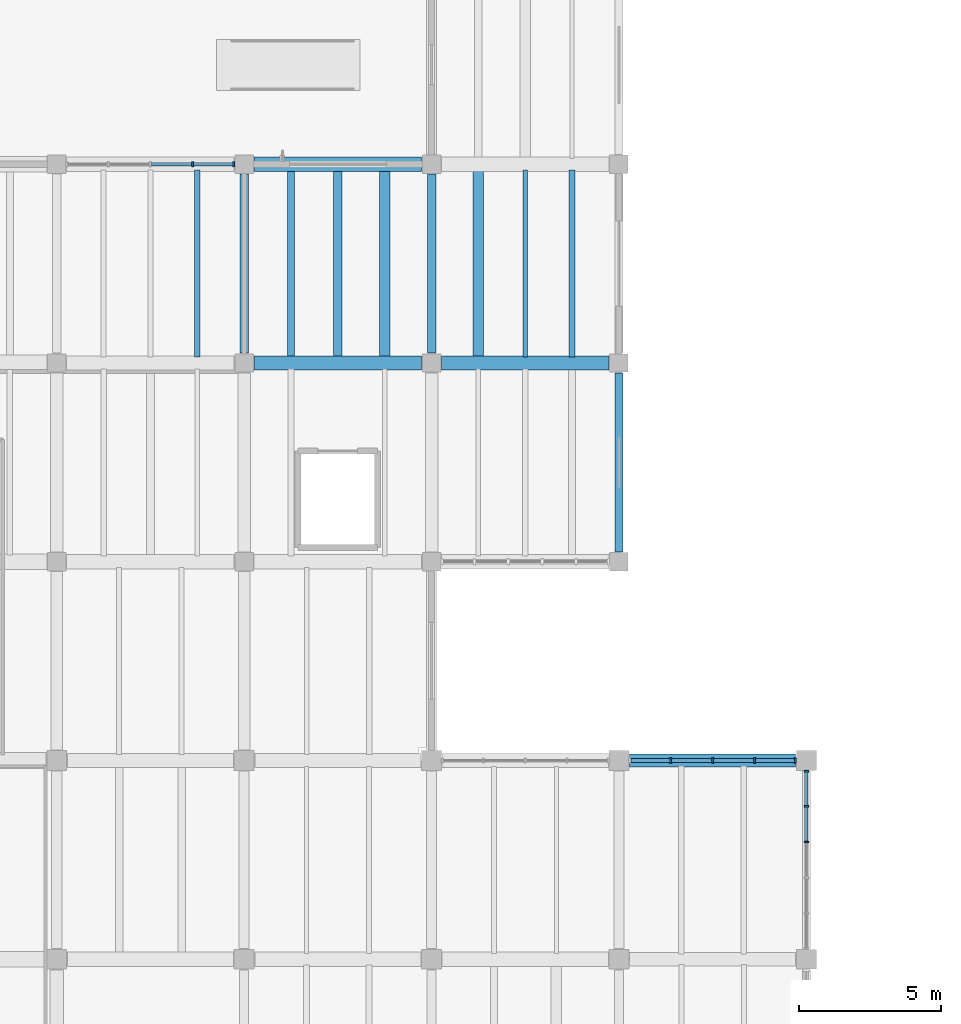
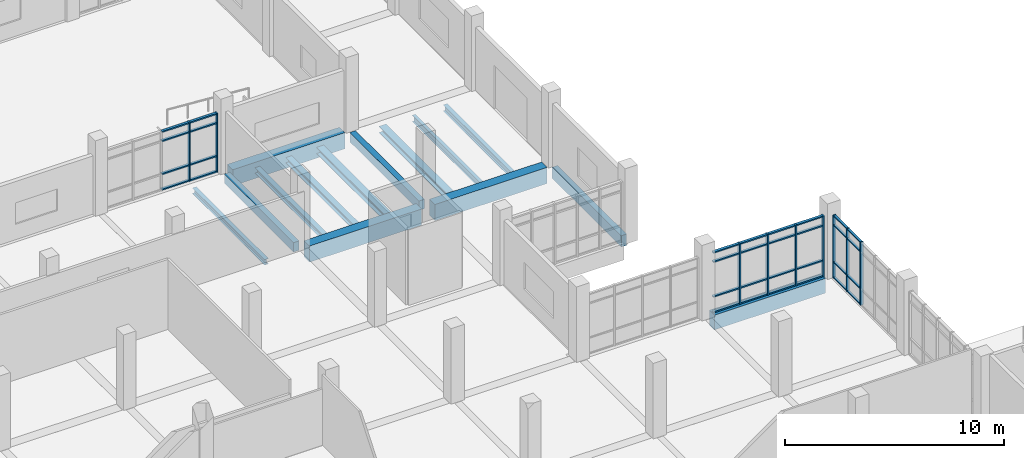
# One storey, part 19 of 69: 41 members, 14 beams, 3 elements without a shape of their own.
"""IFC4 building model written with IfcOpenShell, lengths in metres."""

from ifc_helpers import new_model, si_unit, direction, frame, origin, origin_2d, place, context, subcontext, project, spatial, rectangle, i_section, extrude, material, material_profile, profile_set, type_object, element, aggregate, save


model = new_model("IFC4")

# Units and contexts
model_context = context("Model", 3, precision=1e-05, world=origin(), true_north=direction((0.0, 1.0)))
body_context = subcontext(model_context, "Body", "Model", "MODEL_VIEW")
ifc_project = project(units=[si_unit("LENGTHUNIT", "METRE"), si_unit("AREAUNIT", "SQUARE_METRE"), si_unit("VOLUMEUNIT", "CUBIC_METRE"), si_unit("PLANEANGLEUNIT", "RADIAN"), si_unit("MASSUNIT", "GRAM", prefix="KILO")], contexts=[model_context])

# Site, building, storey
site_placement = place(None, origin())
site = spatial("IfcSite", under=ifc_project, at=site_placement, CompositionType="ELEMENT")
building_placement = place(site_placement, origin())
building = spatial("IfcBuilding", under=site, at=building_placement, Name="Ciguamira Faculty of Natural Sciences", CompositionType="ELEMENT")
storey_placement = place(building_placement, origin())
storey = spatial("IfcBuildingStorey", under=building, at=storey_placement, Name="L00", CompositionType="ELEMENT", Elevation=0.0)

# Curtain wall, members
ifc_material_1 = material(Name="Anodized aluminium curtain wall", Category="aluminium")
curtain_wall_type_1 = type_object("IfcCurtainWallType", Name="CurtainWall_CW-01", PredefinedType="USERDEFINED", material=ifc_material_1)
curtain_wall_1_placement = place(storey_placement, origin())
curtain_wall_1 = element("IfcCurtainWall", 1, at=curtain_wall_1_placement, inside=storey, type_object=curtain_wall_type_1, Name="L00 unitised curtain wall 0025", ObjectType="UNITISED CURTAIN WALL", PredefinedType="USERDEFINED")
ifc_material_2 = material(Name="Anodized aluminium mullion", Category="aluminium")
ifc_material_profile_1 = material_profile(ifc_material_2, rectangle(XDim=0.06005859375, YDim=0.159912109375, at=origin_2d()), Name="ALU-MUL-60X160")
ifc_profile_set_1 = profile_set([ifc_material_profile_1], Name="Anodized aluminium mullion")
member_type_1 = type_object("IfcMemberType", Name="CWMullion_CWM-01", PredefinedType="MULLION", material=ifc_profile_set_1)
member_1_placement = place(storey_placement, frame((123.300048828125, 35.1298828125, 0.0), z_axis=(0.0, 0.0, 1.0), x_axis=(0.0, 1.0, 0.0)))
member_1 = element("IfcMember", 2, at=member_1_placement, type_object=member_type_1, Name="CW-01 mullion 4", PredefinedType="MULLION", context=body_context, shape_type="SweptSolid", body=[
    extrude(rectangle(XDim=0.06005859375, YDim=0.159912109375, at=origin_2d()), origin(), (0.0, 0.0, 1.0), 3.5048828125),
])
member_2_placement = place(storey_placement, frame((123.300048828125, 36.389892578125, 0.0), z_axis=(0.0, 0.0, 1.0), x_axis=(0.0, 1.0, 0.0)))
member_2 = element("IfcMember", 3, at=member_2_placement, type_object=member_type_1, Name="CW-01 mullion 5", PredefinedType="MULLION", context=body_context, shape_type="SweptSolid", body=[
    extrude(rectangle(XDim=0.06005859375, YDim=0.159912109375, at=origin_2d()), origin(), (0.0, 0.0, 1.0), 3.5048828125),
])
member_3_placement = place(storey_placement, frame((123.300048828125, 37.6201171875, 0.0), z_axis=(0.0, 0.0, 1.0), x_axis=(0.0, 1.0, 0.0)))
member_3 = element("IfcMember", 4, at=member_3_placement, type_object=member_type_1, Name="CW-01 mullion 6", PredefinedType="MULLION", context=body_context, shape_type="SweptSolid", body=[
    extrude(rectangle(XDim=0.06005859375, YDim=0.159912109375, at=origin_2d()), origin(), (0.0, 0.0, 1.0), 3.5048828125),
])

curtain_wall_type_2 = type_object("IfcCurtainWallType", Name="CurtainWall_CW-08", PredefinedType="USERDEFINED", material=ifc_material_1)
curtain_wall_2_placement = place(storey_placement, origin())
curtain_wall_2 = element("IfcCurtainWall", 5, at=curtain_wall_2_placement, inside=storey, type_object=curtain_wall_type_2, Name="L00 unitised curtain wall 0008", ObjectType="UNITISED CURTAIN WALL", PredefinedType="USERDEFINED")
ifc_material_profile_2 = material_profile(ifc_material_2, rectangle(XDim=0.070068359375, YDim=0.179931640625, at=origin_2d()), Name="ALU-MUL-70X180")
ifc_profile_set_2 = profile_set([ifc_material_profile_2], Name="Anodized aluminium mullion")
member_type_2 = type_object("IfcMemberType", Name="CWMullion_CWM-02", PredefinedType="MULLION", material=ifc_profile_set_2)
member_4_placement = place(storey_placement, frame((118.52490234375, 38.0, 0.0), z_axis=(0.0, 0.0, 1.0), x_axis=(1.0, 0.0, 0.0)))
member_4 = element("IfcMember", 6, at=member_4_placement, type_object=member_type_2, Name="CW-08 mullion 2", PredefinedType="MULLION", context=body_context, shape_type="SweptSolid", body=[
    extrude(rectangle(XDim=0.070068359375, YDim=0.179931640625, at=origin_2d()), origin(), (0.0, 0.0, 1.0), 3.385009765625),
])
member_5_placement = place(storey_placement, frame((120.0, 38.0, 0.0), z_axis=(0.0, 0.0, 1.0), x_axis=(1.0, 0.0, 0.0)))
member_5 = element("IfcMember", 7, at=member_5_placement, type_object=member_type_2, Name="CW-08 mullion 3", PredefinedType="MULLION", context=body_context, shape_type="SweptSolid", body=[
    extrude(rectangle(XDim=0.070068359375, YDim=0.179931640625, at=origin_2d()), origin(), (0.0, 0.0, 1.0), 3.385009765625),
])
member_6_placement = place(storey_placement, frame((121.47509765625, 38.0, 0.0), z_axis=(0.0, 0.0, 1.0), x_axis=(1.0, 0.0, 0.0)))
member_6 = element("IfcMember", 8, at=member_6_placement, type_object=member_type_2, Name="CW-08 mullion 4", PredefinedType="MULLION", context=body_context, shape_type="SweptSolid", body=[
    extrude(rectangle(XDim=0.070068359375, YDim=0.179931640625, at=origin_2d()), origin(), (0.0, 0.0, 1.0), 3.385009765625),
])
member_7_placement = place(storey_placement, frame((122.9150390625, 38.0, 0.0), z_axis=(0.0, 0.0, 1.0), x_axis=(1.0, 0.0, 0.0)))
member_7 = element("IfcMember", 9, at=member_7_placement, type_object=member_type_2, Name="CW-08 mullion 5", PredefinedType="MULLION", context=body_context, shape_type="SweptSolid", body=[
    extrude(rectangle(XDim=0.070068359375, YDim=0.179931640625, at=origin_2d()), origin(), (0.0, 0.0, 1.0), 3.385009765625),
])

curtain_wall_type_3 = type_object("IfcCurtainWallType", Name="CurtainWall_CW-11", PredefinedType="USERDEFINED", material=ifc_material_1)
curtain_wall_3_placement = place(storey_placement, origin())
curtain_wall_3 = element("IfcCurtainWall", 10, at=curtain_wall_3_placement, inside=storey, type_object=curtain_wall_type_3, Name="L00 unitised curtain wall 0011", ObjectType="UNITISED CURTAIN WALL", PredefinedType="USERDEFINED")
member_8_placement = place(storey_placement, frame((101.6875, 59.0, 0.0), z_axis=(0.0, 0.0, 1.0), x_axis=(1.0, 0.0, 0.0)))
member_8 = element("IfcMember", 11, at=member_8_placement, type_object=member_type_2, Name="CW-11 mullion 4", PredefinedType="MULLION", context=body_context, shape_type="SweptSolid", body=[
    extrude(rectangle(XDim=0.070068359375, YDim=0.179931640625, at=origin_2d()), origin(), (0.0, 0.0, 1.0), 3.284912109375),
])
member_9_placement = place(storey_placement, frame((103.139892578125, 59.0, 0.0), z_axis=(0.0, 0.0, 1.0), x_axis=(1.0, 0.0, 0.0)))
member_9 = element("IfcMember", 12, at=member_9_placement, type_object=member_type_2, Name="CW-11 mullion 5", PredefinedType="MULLION", context=body_context, shape_type="SweptSolid", body=[
    extrude(rectangle(XDim=0.070068359375, YDim=0.179931640625, at=origin_2d()), origin(), (0.0, 0.0, 1.0), 3.284912109375),
])

# Member
ifc_material_3 = material(Name="Anodized aluminium transom", Category="aluminium")
ifc_material_profile_3 = material_profile(ifc_material_3, rectangle(XDim=0.06005859375, YDim=0.1201171875, at=origin_2d()), Name="ALU-TRN-60X120")
ifc_profile_set_3 = profile_set([ifc_material_profile_3], Name="Anodized aluminium transom")
member_type_3 = type_object("IfcMemberType", Name="CWTransom_CWT-01", PredefinedType="USERDEFINED", material=ifc_profile_set_3)
member_10_placement = place(storey_placement, frame((123.300048828125, 35.159912109375, 0.030029296875), z_axis=(0.0, 1.0, 0.0), x_axis=(0.0, 0.0, 1.0)))
member_10 = element("IfcMember", 13, at=member_10_placement, type_object=member_type_3, Name="CW-01 transom 4.1", ObjectType="TRANSOM", PredefinedType="USERDEFINED", context=body_context, shape_type="SweptSolid", body=[
    extrude(rectangle(XDim=0.06005859375, YDim=0.1201171875, at=origin_2d()), origin(), (0.0, 0.0, 1.0), 1.2001953125),
])

member_11_placement = place(storey_placement, frame((123.300048828125, 35.159912109375, 0.89990234375), z_axis=(0.0, 1.0, 0.0), x_axis=(0.0, 0.0, 1.0)))
member_11 = element("IfcMember", 14, at=member_11_placement, type_object=member_type_3, Name="CW-01 transom 4.2", ObjectType="TRANSOM", PredefinedType="USERDEFINED", context=body_context, shape_type="SweptSolid", body=[
    extrude(rectangle(XDim=0.06005859375, YDim=0.1201171875, at=origin_2d()), origin(), (0.0, 0.0, 1.0), 1.2001953125),
])

member_12_placement = place(storey_placement, frame((123.300048828125, 35.159912109375, 2.955078125), z_axis=(0.0, 1.0, 0.0), x_axis=(0.0, 0.0, 1.0)))
member_12 = element("IfcMember", 15, at=member_12_placement, type_object=member_type_3, Name="CW-01 transom 4.3", ObjectType="TRANSOM", PredefinedType="USERDEFINED", context=body_context, shape_type="SweptSolid", body=[
    extrude(rectangle(XDim=0.06005859375, YDim=0.1201171875, at=origin_2d()), origin(), (0.0, 0.0, 1.0), 1.2001953125),
])

member_13_placement = place(storey_placement, frame((123.300048828125, 35.159912109375, 3.47509765625), z_axis=(0.0, 1.0, 0.0), x_axis=(0.0, 0.0, 1.0)))
member_13 = element("IfcMember", 16, at=member_13_placement, type_object=member_type_3, Name="CW-01 transom 4.4", ObjectType="TRANSOM", PredefinedType="USERDEFINED", context=body_context, shape_type="SweptSolid", body=[
    extrude(rectangle(XDim=0.06005859375, YDim=0.1201171875, at=origin_2d()), origin(), (0.0, 0.0, 1.0), 1.2001953125),
])

member_14_placement = place(storey_placement, frame((123.300048828125, 36.419921875, 0.030029296875), z_axis=(0.0, 1.0, 0.0), x_axis=(0.0, 0.0, 1.0)))
member_14 = element("IfcMember", 17, at=member_14_placement, type_object=member_type_3, Name="CW-01 transom 5.1", ObjectType="TRANSOM", PredefinedType="USERDEFINED", context=body_context, shape_type="SweptSolid", body=[
    extrude(rectangle(XDim=0.06005859375, YDim=0.1201171875, at=origin_2d()), origin(), (0.0, 0.0, 1.0), 1.170166015625),
])

member_15_placement = place(storey_placement, frame((123.300048828125, 36.419921875, 0.89990234375), z_axis=(0.0, 1.0, 0.0), x_axis=(0.0, 0.0, 1.0)))
member_15 = element("IfcMember", 18, at=member_15_placement, type_object=member_type_3, Name="CW-01 transom 5.2", ObjectType="TRANSOM", PredefinedType="USERDEFINED", context=body_context, shape_type="SweptSolid", body=[
    extrude(rectangle(XDim=0.06005859375, YDim=0.1201171875, at=origin_2d()), origin(), (0.0, 0.0, 1.0), 1.170166015625),
])

member_16_placement = place(storey_placement, frame((123.300048828125, 36.419921875, 2.955078125), z_axis=(0.0, 1.0, 0.0), x_axis=(0.0, 0.0, 1.0)))
member_16 = element("IfcMember", 19, at=member_16_placement, type_object=member_type_3, Name="CW-01 transom 5.3", ObjectType="TRANSOM", PredefinedType="USERDEFINED", context=body_context, shape_type="SweptSolid", body=[
    extrude(rectangle(XDim=0.06005859375, YDim=0.1201171875, at=origin_2d()), origin(), (0.0, 0.0, 1.0), 1.170166015625),
])

member_17_placement = place(storey_placement, frame((123.300048828125, 36.419921875, 3.47509765625), z_axis=(0.0, 1.0, 0.0), x_axis=(0.0, 0.0, 1.0)))
member_17 = element("IfcMember", 20, at=member_17_placement, type_object=member_type_3, Name="CW-01 transom 5.4", ObjectType="TRANSOM", PredefinedType="USERDEFINED", context=body_context, shape_type="SweptSolid", body=[
    extrude(rectangle(XDim=0.06005859375, YDim=0.1201171875, at=origin_2d()), origin(), (0.0, 0.0, 1.0), 1.170166015625),
])

aggregate(curtain_wall_1, [member_1, member_2, member_3, member_10, member_11, member_12, member_13, member_14, member_15, member_16, member_17])

ifc_material_profile_4 = material_profile(ifc_material_3, rectangle(XDim=0.070068359375, YDim=0.139892578125, at=origin_2d()), Name="ALU-TRN-70X140")
ifc_profile_set_4 = profile_set([ifc_material_profile_4], Name="Anodized aluminium transom")
member_type_4 = type_object("IfcMemberType", Name="CWTransom_CWT-02", PredefinedType="USERDEFINED", material=ifc_profile_set_4)
member_18_placement = place(storey_placement, frame((117.1201171875, 38.0, 0.034912109375), z_axis=(1.0, 0.0, 0.0), x_axis=(0.0, 0.0, 1.0)))
member_18 = element("IfcMember", 21, at=member_18_placement, type_object=member_type_4, Name="CW-08 transom 1.1", ObjectType="TRANSOM", PredefinedType="USERDEFINED", context=body_context, shape_type="SweptSolid", body=[
    extrude(rectangle(XDim=0.070068359375, YDim=0.139892578125, at=origin_2d()), origin(), (0.0, 0.0, 1.0), 1.369873046875),
])

member_19_placement = place(storey_placement, frame((117.1201171875, 38.0, 0.89990234375), z_axis=(1.0, 0.0, 0.0), x_axis=(0.0, 0.0, 1.0)))
member_19 = element("IfcMember", 22, at=member_19_placement, type_object=member_type_4, Name="CW-08 transom 1.2", ObjectType="TRANSOM", PredefinedType="USERDEFINED", context=body_context, shape_type="SweptSolid", body=[
    extrude(rectangle(XDim=0.070068359375, YDim=0.139892578125, at=origin_2d()), origin(), (0.0, 0.0, 1.0), 1.369873046875),
])

member_20_placement = place(storey_placement, frame((117.1201171875, 38.0, 2.8349609375), z_axis=(1.0, 0.0, 0.0), x_axis=(0.0, 0.0, 1.0)))
member_20 = element("IfcMember", 23, at=member_20_placement, type_object=member_type_4, Name="CW-08 transom 1.3", ObjectType="TRANSOM", PredefinedType="USERDEFINED", context=body_context, shape_type="SweptSolid", body=[
    extrude(rectangle(XDim=0.070068359375, YDim=0.139892578125, at=origin_2d()), origin(), (0.0, 0.0, 1.0), 1.369873046875),
])

member_21_placement = place(storey_placement, frame((117.1201171875, 38.0, 3.35009765625), z_axis=(1.0, 0.0, 0.0), x_axis=(0.0, 0.0, 1.0)))
member_21 = element("IfcMember", 24, at=member_21_placement, type_object=member_type_4, Name="CW-08 transom 1.4", ObjectType="TRANSOM", PredefinedType="USERDEFINED", context=body_context, shape_type="SweptSolid", body=[
    extrude(rectangle(XDim=0.070068359375, YDim=0.139892578125, at=origin_2d()), origin(), (0.0, 0.0, 1.0), 1.369873046875),
])

member_22_placement = place(storey_placement, frame((118.56005859375, 38.0, 0.034912109375), z_axis=(1.0, 0.0, 0.0), x_axis=(0.0, 0.0, 1.0)))
member_22 = element("IfcMember", 25, at=member_22_placement, type_object=member_type_4, Name="CW-08 transom 2.1", ObjectType="TRANSOM", PredefinedType="USERDEFINED", context=body_context, shape_type="SweptSolid", body=[
    extrude(rectangle(XDim=0.070068359375, YDim=0.139892578125, at=origin_2d()), origin(), (0.0, 0.0, 1.0), 1.405029296875),
])

member_23_placement = place(storey_placement, frame((118.56005859375, 38.0, 0.89990234375), z_axis=(1.0, 0.0, 0.0), x_axis=(0.0, 0.0, 1.0)))
member_23 = element("IfcMember", 26, at=member_23_placement, type_object=member_type_4, Name="CW-08 transom 2.2", ObjectType="TRANSOM", PredefinedType="USERDEFINED", context=body_context, shape_type="SweptSolid", body=[
    extrude(rectangle(XDim=0.070068359375, YDim=0.139892578125, at=origin_2d()), origin(), (0.0, 0.0, 1.0), 1.405029296875),
])

member_24_placement = place(storey_placement, frame((118.56005859375, 38.0, 2.8349609375), z_axis=(1.0, 0.0, 0.0), x_axis=(0.0, 0.0, 1.0)))
member_24 = element("IfcMember", 27, at=member_24_placement, type_object=member_type_4, Name="CW-08 transom 2.3", ObjectType="TRANSOM", PredefinedType="USERDEFINED", context=body_context, shape_type="SweptSolid", body=[
    extrude(rectangle(XDim=0.070068359375, YDim=0.139892578125, at=origin_2d()), origin(), (0.0, 0.0, 1.0), 1.405029296875),
])

member_25_placement = place(storey_placement, frame((118.56005859375, 38.0, 3.35009765625), z_axis=(1.0, 0.0, 0.0), x_axis=(0.0, 0.0, 1.0)))
member_25 = element("IfcMember", 28, at=member_25_placement, type_object=member_type_4, Name="CW-08 transom 2.4", ObjectType="TRANSOM", PredefinedType="USERDEFINED", context=body_context, shape_type="SweptSolid", body=[
    extrude(rectangle(XDim=0.070068359375, YDim=0.139892578125, at=origin_2d()), origin(), (0.0, 0.0, 1.0), 1.405029296875),
])

member_26_placement = place(storey_placement, frame((120.034912109375, 38.0, 0.034912109375), z_axis=(1.0, 0.0, 0.0), x_axis=(0.0, 0.0, 1.0)))
member_26 = element("IfcMember", 29, at=member_26_placement, type_object=member_type_4, Name="CW-08 transom 3.1", ObjectType="TRANSOM", PredefinedType="USERDEFINED", context=body_context, shape_type="SweptSolid", body=[
    extrude(rectangle(XDim=0.070068359375, YDim=0.139892578125, at=origin_2d()), origin(), (0.0, 0.0, 1.0), 1.405029296875),
])

member_27_placement = place(storey_placement, frame((120.034912109375, 38.0, 0.89990234375), z_axis=(1.0, 0.0, 0.0), x_axis=(0.0, 0.0, 1.0)))
member_27 = element("IfcMember", 30, at=member_27_placement, type_object=member_type_4, Name="CW-08 transom 3.2", ObjectType="TRANSOM", PredefinedType="USERDEFINED", context=body_context, shape_type="SweptSolid", body=[
    extrude(rectangle(XDim=0.070068359375, YDim=0.139892578125, at=origin_2d()), origin(), (0.0, 0.0, 1.0), 1.405029296875),
])

member_28_placement = place(storey_placement, frame((120.034912109375, 38.0, 2.8349609375), z_axis=(1.0, 0.0, 0.0), x_axis=(0.0, 0.0, 1.0)))
member_28 = element("IfcMember", 31, at=member_28_placement, type_object=member_type_4, Name="CW-08 transom 3.3", ObjectType="TRANSOM", PredefinedType="USERDEFINED", context=body_context, shape_type="SweptSolid", body=[
    extrude(rectangle(XDim=0.070068359375, YDim=0.139892578125, at=origin_2d()), origin(), (0.0, 0.0, 1.0), 1.405029296875),
])

member_29_placement = place(storey_placement, frame((120.034912109375, 38.0, 3.35009765625), z_axis=(1.0, 0.0, 0.0), x_axis=(0.0, 0.0, 1.0)))
member_29 = element("IfcMember", 32, at=member_29_placement, type_object=member_type_4, Name="CW-08 transom 3.4", ObjectType="TRANSOM", PredefinedType="USERDEFINED", context=body_context, shape_type="SweptSolid", body=[
    extrude(rectangle(XDim=0.070068359375, YDim=0.139892578125, at=origin_2d()), origin(), (0.0, 0.0, 1.0), 1.405029296875),
])

member_30_placement = place(storey_placement, frame((121.510009765625, 38.0, 0.034912109375), z_axis=(1.0, 0.0, 0.0), x_axis=(0.0, 0.0, 1.0)))
member_30 = element("IfcMember", 33, at=member_30_placement, type_object=member_type_4, Name="CW-08 transom 4.1", ObjectType="TRANSOM", PredefinedType="USERDEFINED", context=body_context, shape_type="SweptSolid", body=[
    extrude(rectangle(XDim=0.070068359375, YDim=0.139892578125, at=origin_2d()), origin(), (0.0, 0.0, 1.0), 1.369873046875),
])

member_31_placement = place(storey_placement, frame((121.510009765625, 38.0, 0.89990234375), z_axis=(1.0, 0.0, 0.0), x_axis=(0.0, 0.0, 1.0)))
member_31 = element("IfcMember", 34, at=member_31_placement, type_object=member_type_4, Name="CW-08 transom 4.2", ObjectType="TRANSOM", PredefinedType="USERDEFINED", context=body_context, shape_type="SweptSolid", body=[
    extrude(rectangle(XDim=0.070068359375, YDim=0.139892578125, at=origin_2d()), origin(), (0.0, 0.0, 1.0), 1.369873046875),
])

member_32_placement = place(storey_placement, frame((121.510009765625, 38.0, 2.8349609375), z_axis=(1.0, 0.0, 0.0), x_axis=(0.0, 0.0, 1.0)))
member_32 = element("IfcMember", 35, at=member_32_placement, type_object=member_type_4, Name="CW-08 transom 4.3", ObjectType="TRANSOM", PredefinedType="USERDEFINED", context=body_context, shape_type="SweptSolid", body=[
    extrude(rectangle(XDim=0.070068359375, YDim=0.139892578125, at=origin_2d()), origin(), (0.0, 0.0, 1.0), 1.369873046875),
])

member_33_placement = place(storey_placement, frame((121.510009765625, 38.0, 3.35009765625), z_axis=(1.0, 0.0, 0.0), x_axis=(0.0, 0.0, 1.0)))
member_33 = element("IfcMember", 36, at=member_33_placement, type_object=member_type_4, Name="CW-08 transom 4.4", ObjectType="TRANSOM", PredefinedType="USERDEFINED", context=body_context, shape_type="SweptSolid", body=[
    extrude(rectangle(XDim=0.070068359375, YDim=0.139892578125, at=origin_2d()), origin(), (0.0, 0.0, 1.0), 1.369873046875),
])

aggregate(curtain_wall_2, [member_4, member_5, member_6, member_7, member_18, member_19, member_20, member_21, member_22, member_23, member_24, member_25, member_26, member_27, member_28, member_29, member_30, member_31, member_32, member_33])

member_34_placement = place(storey_placement, frame((100.235107421875, 59.0, 0.034912109375), z_axis=(1.0, 0.0, 0.0), x_axis=(0.0, 0.0, 1.0)))
member_34 = element("IfcMember", 37, at=member_34_placement, type_object=member_type_4, Name="CW-11 transom 3.1", ObjectType="TRANSOM", PredefinedType="USERDEFINED", context=body_context, shape_type="SweptSolid", body=[
    extrude(rectangle(XDim=0.070068359375, YDim=0.139892578125, at=origin_2d()), origin(), (0.0, 0.0, 1.0), 1.41748046875),
])

member_35_placement = place(storey_placement, frame((100.235107421875, 59.0, 0.89990234375), z_axis=(1.0, 0.0, 0.0), x_axis=(0.0, 0.0, 1.0)))
member_35 = element("IfcMember", 38, at=member_35_placement, type_object=member_type_4, Name="CW-11 transom 3.2", ObjectType="TRANSOM", PredefinedType="USERDEFINED", context=body_context, shape_type="SweptSolid", body=[
    extrude(rectangle(XDim=0.070068359375, YDim=0.139892578125, at=origin_2d()), origin(), (0.0, 0.0, 1.0), 1.41748046875),
])

member_36_placement = place(storey_placement, frame((100.235107421875, 59.0, 2.735107421875), z_axis=(1.0, 0.0, 0.0), x_axis=(0.0, 0.0, 1.0)))
member_36 = element("IfcMember", 39, at=member_36_placement, type_object=member_type_4, Name="CW-11 transom 3.3", ObjectType="TRANSOM", PredefinedType="USERDEFINED", context=body_context, shape_type="SweptSolid", body=[
    extrude(rectangle(XDim=0.070068359375, YDim=0.139892578125, at=origin_2d()), origin(), (0.0, 0.0, 1.0), 1.41748046875),
])

member_37_placement = place(storey_placement, frame((100.235107421875, 59.0, 3.25), z_axis=(1.0, 0.0, 0.0), x_axis=(0.0, 0.0, 1.0)))
member_37 = element("IfcMember", 40, at=member_37_placement, type_object=member_type_4, Name="CW-11 transom 3.4", ObjectType="TRANSOM", PredefinedType="USERDEFINED", context=body_context, shape_type="SweptSolid", body=[
    extrude(rectangle(XDim=0.070068359375, YDim=0.139892578125, at=origin_2d()), origin(), (0.0, 0.0, 1.0), 1.41748046875),
])

member_38_placement = place(storey_placement, frame((101.722412109375, 59.0, 0.034912109375), z_axis=(1.0, 0.0, 0.0), x_axis=(0.0, 0.0, 1.0)))
member_38 = element("IfcMember", 41, at=member_38_placement, type_object=member_type_4, Name="CW-11 transom 4.1", ObjectType="TRANSOM", PredefinedType="USERDEFINED", context=body_context, shape_type="SweptSolid", body=[
    extrude(rectangle(XDim=0.070068359375, YDim=0.139892578125, at=origin_2d()), origin(), (0.0, 0.0, 1.0), 1.382568359375),
])

member_39_placement = place(storey_placement, frame((101.722412109375, 59.0, 0.89990234375), z_axis=(1.0, 0.0, 0.0), x_axis=(0.0, 0.0, 1.0)))
member_39 = element("IfcMember", 42, at=member_39_placement, type_object=member_type_4, Name="CW-11 transom 4.2", ObjectType="TRANSOM", PredefinedType="USERDEFINED", context=body_context, shape_type="SweptSolid", body=[
    extrude(rectangle(XDim=0.070068359375, YDim=0.139892578125, at=origin_2d()), origin(), (0.0, 0.0, 1.0), 1.382568359375),
])

member_40_placement = place(storey_placement, frame((101.722412109375, 59.0, 2.735107421875), z_axis=(1.0, 0.0, 0.0), x_axis=(0.0, 0.0, 1.0)))
member_40 = element("IfcMember", 43, at=member_40_placement, type_object=member_type_4, Name="CW-11 transom 4.3", ObjectType="TRANSOM", PredefinedType="USERDEFINED", context=body_context, shape_type="SweptSolid", body=[
    extrude(rectangle(XDim=0.070068359375, YDim=0.139892578125, at=origin_2d()), origin(), (0.0, 0.0, 1.0), 1.382568359375),
])

member_41_placement = place(storey_placement, frame((101.722412109375, 59.0, 3.25), z_axis=(1.0, 0.0, 0.0), x_axis=(0.0, 0.0, 1.0)))
member_41 = element("IfcMember", 44, at=member_41_placement, type_object=member_type_4, Name="CW-11 transom 4.4", ObjectType="TRANSOM", PredefinedType="USERDEFINED", context=body_context, shape_type="SweptSolid", body=[
    extrude(rectangle(XDim=0.070068359375, YDim=0.139892578125, at=origin_2d()), origin(), (0.0, 0.0, 1.0), 1.382568359375),
])

aggregate(curtain_wall_3, [member_8, member_9, member_34, member_35, member_36, member_37, member_38, member_39, member_40, member_41])

# Beams
ifc_material_4 = material(Name="Concrete C40/50", Category="concrete")
ifc_material_profile_5 = material_profile(ifc_material_4, rectangle(XDim=0.5, YDim=0.89990234375, at=origin_2d()), Name="RC-BM-500X900")
ifc_profile_set_5 = profile_set([ifc_material_profile_5], Name="Concrete C40/50")
beam_type_1 = type_object("IfcBeamType", Name="RCBeam_BG-03_RC-BM-500X900", PredefinedType="BEAM", material=ifc_profile_set_5)
beam_1_placement = place(storey_placement, frame((103.85009765625, 52.0, -0.449951171875), z_axis=(1.0, 0.0, 0.0), x_axis=(0.0, 1.0, 0.0)))
element("IfcBeam", 45, at=beam_1_placement, inside=storey, type_object=beam_type_1, Name="L00 RC girder EW-0116", PredefinedType="BEAM", context=body_context, shape_type="SweptSolid", body=[
    extrude(rectangle(XDim=0.5, YDim=0.89990234375, at=origin_2d()), origin(), (0.0, 0.0, 1.0), 5.89990234375),
])
beam_2_placement = place(storey_placement, frame((110.449951171875, 52.0, -0.449951171875), z_axis=(1.0, 0.0, 0.0), x_axis=(0.0, 1.0, 0.0)))
element("IfcBeam", 46, at=beam_2_placement, inside=storey, type_object=beam_type_1, Name="L00 RC girder EW-0117", PredefinedType="BEAM", context=body_context, shape_type="SweptSolid", body=[
    extrude(rectangle(XDim=0.5, YDim=0.89990234375, at=origin_2d()), origin(), (0.0, 0.0, 1.0), 5.900146484375),
])
beam_3_placement = place(storey_placement, frame((103.85009765625, 59.0, -0.449951171875), z_axis=(1.0, 0.0, 0.0), x_axis=(0.0, 1.0, 0.0)))
element("IfcBeam", 47, at=beam_3_placement, inside=storey, type_object=beam_type_1, Name="L00 RC girder EW-0125", PredefinedType="BEAM", context=body_context, shape_type="SweptSolid", body=[
    extrude(rectangle(XDim=0.5, YDim=0.89990234375, at=origin_2d()), origin(), (0.0, 0.0, 1.0), 5.89990234375),
])
ifc_material_profile_6 = material_profile(ifc_material_4, rectangle(XDim=0.4599609375, YDim=0.820068359375, at=origin_2d()), Name="RC-BM-460X820")
ifc_profile_set_6 = profile_set([ifc_material_profile_6], Name="Concrete C40/50")
beam_type_2 = type_object("IfcBeamType", Name="RCBeam_BG-04_RC-BM-460X820", PredefinedType="BEAM", material=ifc_profile_set_6)
beam_4_placement = place(storey_placement, frame((117.074951171875, 38.0, -0.409912109375), z_axis=(1.0, 0.0, 0.0), x_axis=(0.0, 1.0, 0.0)))
element("IfcBeam", 48, at=beam_4_placement, inside=storey, type_object=beam_type_2, Name="L00 RC girder EW-0099", PredefinedType="BEAM", context=body_context, shape_type="SweptSolid", body=[
    extrude(rectangle(XDim=0.4599609375, YDim=0.820068359375, at=origin_2d()), origin(), (0.0, 0.0, 1.0), 5.85009765625),
])
ifc_material_profile_7 = material_profile(ifc_material_4, rectangle(XDim=0.300048828125, YDim=0.52001953125, at=origin_2d()), Name="RC-BM-300X520")
ifc_profile_set_7 = profile_set([ifc_material_profile_7], Name="Concrete C40/50")
beam_type_3 = type_object("IfcBeamType", Name="RCBeam_BG-13_RC-BM-300X520", PredefinedType="BEAM", material=ifc_profile_set_7)
for number, where, z_axis, x_axis, name in (
    (49, (103.5, 52.35009765625, -0.260009765625), (0.0, 1.0, 0.0), (-1.0, 0.0, 0.0), "L00 girder NS-0306"),
    (50, (110.10009765625, 52.35009765625, -0.260009765625), (0.0, 1.0, 0.0), (-1.0, 0.0, 0.0), "L00 girder NS-0317"),
):
    element("IfcBeam", number, at=place(storey_placement, frame(where, z_axis=z_axis, x_axis=x_axis)), inside=storey, type_object=beam_type_3, Name=name, PredefinedType="BEAM", context=body_context, shape_type="SweptSolid", body=[
        extrude(rectangle(XDim=0.300048828125, YDim=0.52001953125, at=origin_2d()), origin(), (0.0, 0.0, 1.0), 6.2998046875),
    ])
ifc_material_5 = material(Name="Precast concrete C40/50", Category="concrete")
ifc_material_profile_8 = material_profile(ifc_material_5, rectangle(XDim=0.280029296875, YDim=0.6201171875, at=origin_2d()), Name="RC-SP-280X620")
ifc_profile_set_8 = profile_set([ifc_material_profile_8], Name="Precast concrete C40/50")
beam_type_4 = type_object("IfcBeamType", Name="RCBeam_SP-01_RC-SP-280X620", PredefinedType="SPANDREL", material=ifc_profile_set_8)
beam_5_placement = place(storey_placement, frame((116.699951171875, 45.35009765625, -0.31005859375), z_axis=(0.0, 1.0, 0.0), x_axis=(-1.0, 0.0, 0.0)))
element("IfcBeam", 51, at=beam_5_placement, inside=storey, type_object=beam_type_4, Name="L00 girder NS-0329", PredefinedType="SPANDREL", context=body_context, shape_type="SweptSolid", body=[
    extrude(rectangle(XDim=0.280029296875, YDim=0.6201171875, at=origin_2d()), origin(), (0.0, 0.0, 1.0), 6.2998046875),
])
ifc_material_6 = material(Name="Steel ASTM A992 Grade 50", Category="steel")
ifc_material_profile_9 = material_profile(ifc_material_6, i_section(OverallWidth=0.20458984375, OverallDepth=0.307373046875, WebThickness=0.008544921875, FlangeThickness=0.0146484375, at=origin_2d()), Name="W12X45")
ifc_profile_set_9 = profile_set([ifc_material_profile_9], Name="Steel ASTM A992 Grade 50")
beam_type_5 = type_object("IfcBeamType", Name="SteelJoist_SJ-06_W12X45", PredefinedType="JOIST", material=ifc_profile_set_9)
beam_6_placement = place(storey_placement, frame((101.85009765625, 52.2099609375, -0.45361328125), z_axis=(0.0, 1.0, 0.0), x_axis=(-1.0, 0.0, 0.0)))
element("IfcBeam", 52, at=beam_6_placement, inside=storey, type_object=beam_type_5, Name="L00 composite steel joist 00234", PredefinedType="JOIST", context=body_context, shape_type="SweptSolid", body=[
    extrude(i_section(OverallWidth=0.20458984375, OverallDepth=0.307373046875, WebThickness=0.008544921875, FlangeThickness=0.0146484375, at=origin_2d()), origin(), (0.0, 0.0, 1.0), 6.580078125),
])
ifc_material_profile_10 = material_profile(ifc_material_6, i_section(OverallWidth=0.25390625, OverallDepth=0.307373046875, WebThickness=0.0087890625, FlangeThickness=0.0146484375, at=origin_2d()), Name="W12X53")
ifc_profile_set_10 = profile_set([ifc_material_profile_10], Name="Steel ASTM A992 Grade 50")
beam_type_6 = type_object("IfcBeamType", Name="SteelJoist_SJ-07_W12X53", PredefinedType="JOIST", material=ifc_profile_set_10)
beam_7_placement = place(storey_placement, frame((105.14990234375, 52.2099609375, -0.45361328125), z_axis=(0.0, 1.0, 0.0), x_axis=(-1.0, 0.0, 0.0)))
element("IfcBeam", 53, at=beam_7_placement, inside=storey, type_object=beam_type_6, Name="L00 composite steel joist 00260", PredefinedType="JOIST", context=body_context, shape_type="SweptSolid", body=[
    extrude(i_section(OverallWidth=0.25390625, OverallDepth=0.307373046875, WebThickness=0.0087890625, FlangeThickness=0.0146484375, at=origin_2d()), origin(), (0.0, 0.0, 1.0), 6.580078125),
])
ifc_material_profile_11 = material_profile(ifc_material_6, i_section(OverallWidth=0.3046875, OverallDepth=0.307373046875, WebThickness=0.010009765625, FlangeThickness=0.015380859375, at=origin_2d()), Name="W12X65")
ifc_profile_set_11 = profile_set([ifc_material_profile_11], Name="Steel ASTM A992 Grade 50")
beam_type_7 = type_object("IfcBeamType", Name="SteelJoist_SJ-08_W12X65", PredefinedType="JOIST", material=ifc_profile_set_11)
beam_8_placement = place(storey_placement, frame((106.800048828125, 52.2099609375, -0.45361328125), z_axis=(0.0, 1.0, 0.0), x_axis=(-1.0, 0.0, 0.0)))
element("IfcBeam", 54, at=beam_8_placement, inside=storey, type_object=beam_type_7, Name="L00 composite steel joist 00261", PredefinedType="JOIST", context=body_context, shape_type="SweptSolid", body=[
    extrude(i_section(OverallWidth=0.3046875, OverallDepth=0.307373046875, WebThickness=0.010009765625, FlangeThickness=0.015380859375, at=origin_2d()), origin(), (0.0, 0.0, 1.0), 6.580078125),
])
ifc_material_profile_12 = material_profile(ifc_material_6, i_section(OverallWidth=0.370849609375, OverallDepth=0.36328125, WebThickness=0.013427734375, FlangeThickness=0.021728515625, at=origin_2d()), Name="W14X109")
ifc_profile_set_12 = profile_set([ifc_material_profile_12], Name="Steel ASTM A992 Grade 50")
beam_type_8 = type_object("IfcBeamType", Name="SteelJoist_SJ-09_W14X109", PredefinedType="JOIST", material=ifc_profile_set_12)
beam_9_placement = place(storey_placement, frame((108.449951171875, 52.2099609375, -0.481689453125), z_axis=(0.0, 1.0, 0.0), x_axis=(-1.0, 0.0, 0.0)))
element("IfcBeam", 55, at=beam_9_placement, inside=storey, type_object=beam_type_8, Name="L00 composite steel joist 00262", PredefinedType="JOIST", context=body_context, shape_type="SweptSolid", body=[
    extrude(i_section(OverallWidth=0.370849609375, OverallDepth=0.36328125, WebThickness=0.013427734375, FlangeThickness=0.021728515625, at=origin_2d()), origin(), (0.0, 0.0, 1.0), 6.580078125),
])
ifc_material_profile_13 = material_profile(ifc_material_6, i_section(OverallWidth=0.373291015625, OverallDepth=0.373291015625, WebThickness=0.016357421875, FlangeThickness=0.026123046875, at=origin_2d()), Name="W14X132")
ifc_profile_set_13 = profile_set([ifc_material_profile_13], Name="Steel ASTM A992 Grade 50")
beam_type_9 = type_object("IfcBeamType", Name="SteelJoist_SJ-10_W14X132", PredefinedType="JOIST", material=ifc_profile_set_13)
beam_10_placement = place(storey_placement, frame((111.75, 52.2099609375, -0.48681640625), z_axis=(0.0, 1.0, 0.0), x_axis=(-1.0, 0.0, 0.0)))
element("IfcBeam", 56, at=beam_10_placement, inside=storey, type_object=beam_type_9, Name="L00 composite steel joist 00284", PredefinedType="JOIST", context=body_context, shape_type="SweptSolid", body=[
    extrude(i_section(OverallWidth=0.373291015625, OverallDepth=0.373291015625, WebThickness=0.016357421875, FlangeThickness=0.026123046875, at=origin_2d()), origin(), (0.0, 0.0, 1.0), 6.580078125),
])
ifc_material_profile_14 = material_profile(ifc_material_6, i_section(OverallWidth=0.1708984375, OverallDepth=0.3505859375, WebThickness=0.0068359375, FlangeThickness=0.009765625, at=origin_2d()), Name="W14X30")
ifc_profile_set_14 = profile_set([ifc_material_profile_14], Name="Steel ASTM A992 Grade 50")
beam_type_10 = type_object("IfcBeamType", Name="SteelJoist_SJ-11_W14X30", PredefinedType="JOIST", material=ifc_profile_set_14)
beam_11_placement = place(storey_placement, frame((113.39990234375, 52.2099609375, -0.475341796875), z_axis=(0.0, 1.0, 0.0), x_axis=(-1.0, 0.0, 0.0)))
element("IfcBeam", 57, at=beam_11_placement, inside=storey, type_object=beam_type_10, Name="L00 composite steel joist 00285", PredefinedType="JOIST", context=body_context, shape_type="SweptSolid", body=[
    extrude(i_section(OverallWidth=0.1708984375, OverallDepth=0.3505859375, WebThickness=0.0068359375, FlangeThickness=0.009765625, at=origin_2d()), origin(), (0.0, 0.0, 1.0), 6.580078125),
])
ifc_material_profile_15 = material_profile(ifc_material_6, i_section(OverallWidth=0.203125, OverallDepth=0.347900390625, WebThickness=0.0078125, FlangeThickness=0.013427734375, at=origin_2d()), Name="W14X43")
ifc_profile_set_15 = profile_set([ifc_material_profile_15], Name="Steel ASTM A992 Grade 50")
beam_type_11 = type_object("IfcBeamType", Name="SteelJoist_SJ-12_W14X43", PredefinedType="JOIST", material=ifc_profile_set_15)
beam_12_placement = place(storey_placement, frame((115.050048828125, 52.2099609375, -0.47412109375), z_axis=(0.0, 1.0, 0.0), x_axis=(-1.0, 0.0, 0.0)))
element("IfcBeam", 58, at=beam_12_placement, inside=storey, type_object=beam_type_11, Name="L00 composite steel joist 00286", PredefinedType="JOIST", context=body_context, shape_type="SweptSolid", body=[
    extrude(i_section(OverallWidth=0.203125, OverallDepth=0.347900390625, WebThickness=0.0078125, FlangeThickness=0.013427734375, at=origin_2d()), origin(), (0.0, 0.0, 1.0), 6.580078125),
])

save(model, "model.ifc")
